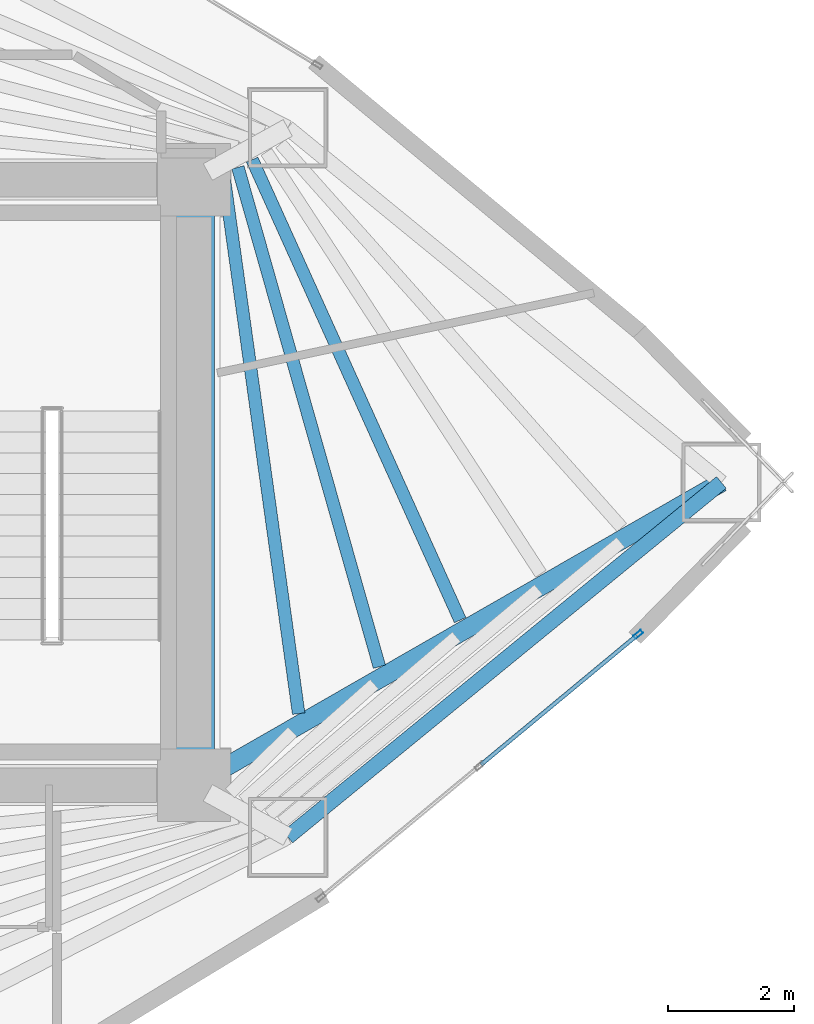
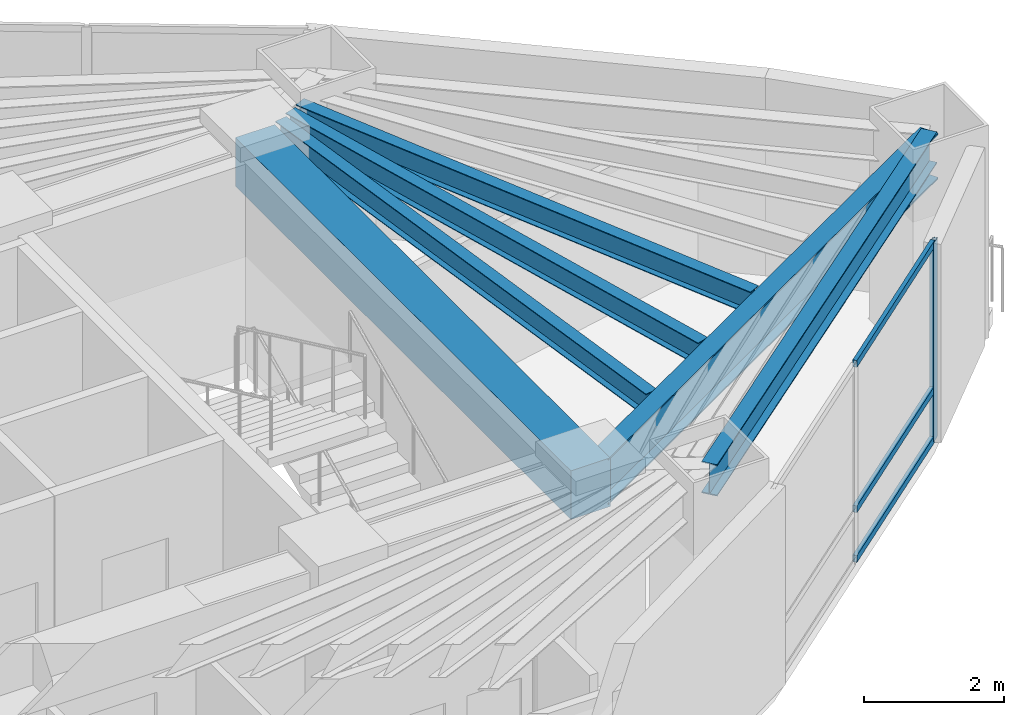
# One storey, part 11 of 19: 6 beams, 4 members, 1 element without a shape of its own.
"""IFC4 building model written with IfcOpenShell, lengths in metres."""

import ifcopenshell
import ifcopenshell.guid

model = None  # the IFC model being written
_history = None  # IfcOwnerHistory: only IFC2X3 demands one
_inside = {}  # id of a spatial element -> (the spatial element, [elements in it])
_under = {}  # id of a project, library or spatial element -> (it, [spatial elements below it])
_declared = {}  # id of a project -> (the project, [libraries it declares])
_typed = {}  # id of a type object -> (the type object, [elements of that type])
_made_of = {}  # id of a material, layer set ... -> (it, [elements and type objects made of it])


def new_model(schema):
    """Start an empty IFC model of exactly this schema.

    Asked for "IFC4X3", IfcOpenShell would pick the latest addendum, in which some entities
    have other attributes; the version numbers below select the first issue.
    IFC2X3 requires an IfcOwnerHistory on every rooted entity: one is made here for all.
    """
    global model, _history
    if schema == "IFC4X3":
        model = ifcopenshell.file(schema_version=(4, 3, 0, 0))
    else:
        model = ifcopenshell.file(schema=schema)
    _inside.clear()
    _under.clear()
    _declared.clear()
    _typed.clear()
    _made_of.clear()
    _history = None
    if model.schema == "IFC2X3":
        org = make("IfcOrganization", Name="unknown")
        user = make(
            "IfcPersonAndOrganization",
            ThePerson=make("IfcPerson", FamilyName="unknown"),
            TheOrganization=org,
        )
        app = make(
            "IfcApplication",
            ApplicationDeveloper=org,
            Version="unknown",
            ApplicationFullName="unknown",
            ApplicationIdentifier="unknown",
        )
        _history = make(
            "IfcOwnerHistory",
            OwningUser=user,
            OwningApplication=app,
            ChangeAction="ADDED",
            CreationDate=0,
        )
    return model


def make(cls, **values):
    """One entity of the class cls with the attributes given. An attribute that is None is left unset."""
    return model.create_entity(
        cls, **{name: value for name, value in values.items() if value is not None}
    )


def rooted(cls, **values):
    """An entity with a GlobalId (a new one), such as an element, a storey or a relation."""
    return make(cls, GlobalId=ifcopenshell.guid.new(), OwnerHistory=_history, **values)


def si_unit(unit_type, name, prefix=None):
    """IfcSIUnit, for example si_unit("LENGTHUNIT", "METRE", prefix="MILLI")."""
    return make("IfcSIUnit", UnitType=unit_type, Prefix=prefix, Name=name)


def assignment(units):
    """IfcUnitAssignment: the units of a project."""
    return None if units is None else make("IfcUnitAssignment", Units=units)


def point(xyz):
    """IfcCartesianPoint."""
    return None if xyz is None else make("IfcCartesianPoint", Coordinates=xyz)


def direction(xyz):
    """IfcDirection."""
    return None if xyz is None else make("IfcDirection", DirectionRatios=xyz)


def frame(location, z_axis=None, x_axis=None):
    """IfcAxis2Placement3D, a coordinate frame: its origin and axes. An axis left out is left unset."""
    return make(
        "IfcAxis2Placement3D",
        Location=point(location),
        Axis=direction(z_axis),
        RefDirection=direction(x_axis),
    )


def frame_2d(location, x_axis=None):
    """IfcAxis2Placement2D, a coordinate frame in the plane: its origin and x axis."""
    return make(
        "IfcAxis2Placement2D", Location=point(location), RefDirection=direction(x_axis)
    )


def origin():
    """The frame at (0, 0, 0) with its axes left unset."""
    return frame((0.0, 0.0, 0.0))


def origin_2d():
    """The frame at (0, 0) in the plane with its x axis left unset."""
    return frame_2d((0.0, 0.0))


def place(relative_to, where):
    """IfcLocalPlacement: puts the frame where relative to a parent placement (None: the world)."""
    return make(
        "IfcLocalPlacement", PlacementRelTo=relative_to, RelativePlacement=where
    )


def context(
    kind, dimensions, precision=None, world=None, true_north=None, identifier=None
):
    """IfcGeometricRepresentationContext, for example the 3D "Model" context."""
    return make(
        "IfcGeometricRepresentationContext",
        ContextIdentifier=identifier,
        ContextType=kind,
        CoordinateSpaceDimension=dimensions,
        Precision=precision,
        WorldCoordinateSystem=world,
        TrueNorth=true_north,
    )


def subcontext(parent, identifier, kind, view, scale=None):
    """IfcGeometricRepresentationSubContext, for example "Body" below "Model"."""
    return make(
        "IfcGeometricRepresentationSubContext",
        ContextIdentifier=identifier,
        ContextType=kind,
        ParentContext=parent,
        TargetScale=scale,
        TargetView=view,
    )


def project(units=None, contexts=None):
    """IfcProject with its units and contexts."""
    return rooted(
        "IfcProject",
        Name="project",
        RepresentationContexts=contexts,
        UnitsInContext=assignment(units),
    )


def spatial(cls, under=None, at=None, **own):
    """A site, building, storey or space (cls), placed at a placement, below another one or the project."""
    s = rooted(cls, ObjectPlacement=at, **own)
    if under is not None:
        _under.setdefault(under.id(), (under, []))[1].append(s)
    return s


def profile(cls, at=None, kind="AREA", **sizes):
    """A parametric profile (cls). Its sizes go by their IFC names, for example OverallWidth=200.0."""
    return make(cls, ProfileType=kind, Position=at, **sizes)


def rectangle(**sizes):
    """IfcRectangleProfileDef."""
    return profile("IfcRectangleProfileDef", **sizes)


def hollow_rectangle(**sizes):
    """IfcRectangleHollowProfileDef."""
    return profile("IfcRectangleHollowProfileDef", **sizes)


def i_section(**sizes):
    """IfcIShapeProfileDef."""
    return profile("IfcIShapeProfileDef", **sizes)


def extrude(swept, where, along, depth):
    """IfcExtrudedAreaSolid: the profile swept, set in the frame where, extruded along a direction by depth."""
    return make(
        "IfcExtrudedAreaSolid",
        SweptArea=swept,
        Position=where,
        ExtrudedDirection=direction(along),
        Depth=depth,
    )


def shape(context_of_items, identifier, shape_type, items):
    """IfcShapeRepresentation: the items that make up one representation, for example the "Body"."""
    return make(
        "IfcShapeRepresentation",
        ContextOfItems=context_of_items,
        RepresentationIdentifier=identifier,
        RepresentationType=shape_type,
        Items=items,
    )


def material(Name=None, Category=None):
    """IfcMaterial."""
    return make("IfcMaterial", Name=Name, Category=Category)


def layer(
    of_material, thickness, ventilated=None, Name=None, Category=None, Priority=None
):
    """IfcMaterialLayer: one layer of a wall or slab, of a material (None: an air gap)."""
    return make(
        "IfcMaterialLayer",
        Material=of_material,
        LayerThickness=thickness,
        IsVentilated=ventilated,
        Name=Name,
        Category=Category,
        Priority=Priority,
    )


def layer_set(layers, Name=None):
    """IfcMaterialLayerSet."""
    return make("IfcMaterialLayerSet", MaterialLayers=layers, LayerSetName=Name)


def material_profile(
    of_material, cross_section, Name=None, Category=None, Priority=None
):
    """IfcMaterialProfile: a cross section and its material."""
    return make(
        "IfcMaterialProfile",
        Name=Name,
        Material=of_material,
        Profile=cross_section,
        Priority=Priority,
        Category=Category,
    )


def profile_set(profiles, Name=None, composite=None):
    """IfcMaterialProfileSet."""
    return make(
        "IfcMaterialProfileSet",
        Name=Name,
        MaterialProfiles=profiles,
        CompositeProfile=composite,
    )


def made_of(thing, what):
    """Note that an element or type object is made of a material, layer set ...; save() writes the relation."""
    if what is not None:
        _made_of.setdefault(what.id(), (what, []))[1].append(thing)
    return thing


def type_object(cls, material=None, **own):
    """A type object (cls), such as IfcWallType, which elements share."""
    return made_of(rooted(cls, **own), material)


def element(
    cls,
    number,
    at=None,
    inside=None,
    cuts=None,
    type_object=None,
    material=None,
    context=None,
    identifier="Body",
    shape_type=None,
    held_by="IfcProductDefinitionShape",
    body=None,
    shapes=None,
    **own,
):
    """One element of the class cls, such as IfcWall. Its Tag is "e" and its number.

    at: its placement. inside: the storey or other place that contains it. cuts: it is an
    opening in that element (IfcRelVoidsElement). A single representation is given by context,
    identifier, shape_type and body (its items); several are given by shapes. held_by: the class
    of the entity that holds the representations. save() writes the other relations.
    """
    e = rooted(cls, Tag="e%d" % number, ObjectPlacement=at, **own)
    if body is not None:
        shapes = [shape(context, identifier, shape_type, body)]
    if shapes is not None:
        e.Representation = make(held_by, Representations=shapes)
    if inside is not None:
        _inside.setdefault(inside.id(), (inside, []))[1].append(e)
    if cuts is not None:
        rooted(
            "IfcRelVoidsElement", RelatingBuildingElement=cuts, RelatedOpeningElement=e
        )
    if type_object is not None:
        _typed.setdefault(type_object.id(), (type_object, []))[1].append(e)
    return made_of(e, material)


def aggregate(whole, parts):
    """IfcRelAggregates: a whole, such as a stair, and the parts it consists of."""
    return rooted("IfcRelAggregates", RelatingObject=whole, RelatedObjects=parts)


def save(model, path):
    """Write the relations noted so far, then the file.

    IfcRelAggregates (storeys below a building ...), IfcRelContainedInSpatialStructure (elements
    in a storey), IfcRelDefinesByType, IfcRelAssociatesMaterial and IfcRelDeclares: one each for
    every whole, place, type object, material and project.
    """
    for whole, parts in _under.values():
        aggregate(whole, parts)
    for where, things in _inside.values():
        rooted(
            "IfcRelContainedInSpatialStructure",
            RelatedElements=things,
            RelatingStructure=where,
        )
    for kind, things in _typed.values():
        rooted("IfcRelDefinesByType", RelatedObjects=things, RelatingType=kind)
    for what, things in _made_of.values():
        rooted("IfcRelAssociatesMaterial", RelatedObjects=things, RelatingMaterial=what)
    for by, libraries in _declared.values():
        rooted("IfcRelDeclares", RelatingContext=by, RelatedDefinitions=libraries)
    model.write(path)


model = new_model("IFC4")

# Units and contexts
model_context = context("Model", 3, precision=1e-05, world=origin(), true_north=direction((0.0, 1.0)))
body_context = subcontext(model_context, "Body", "Model", "MODEL_VIEW")
ifc_project = project(units=[si_unit("LENGTHUNIT", "METRE"), si_unit("AREAUNIT", "SQUARE_METRE"), si_unit("VOLUMEUNIT", "CUBIC_METRE"), si_unit("PLANEANGLEUNIT", "RADIAN"), si_unit("MASSUNIT", "GRAM", prefix="KILO")], contexts=[model_context])

# Site, building, storey
site_placement = place(None, origin())
site = spatial("IfcSite", under=ifc_project, at=site_placement, CompositionType="ELEMENT")
building_placement = place(site_placement, origin())
building = spatial("IfcBuilding", under=site, at=building_placement, Name="Menara Vayukalpa", CompositionType="ELEMENT")
storey_placement = place(building_placement, frame((0.0, 0.0, 118.860107421875)))
storey = spatial("IfcBuildingStorey", under=building, at=storey_placement, Name="L29", CompositionType="ELEMENT", Elevation=118.860107421875)

# Beams
ifc_material_1 = material(Name="Concrete C60/75", Category="concrete")
ifc_material_profile_1 = material_profile(ifc_material_1, rectangle(XDim=0.64990234375, YDim=0.85009765625, at=origin_2d()), Name="RC 650x850")
ifc_profile_set_1 = profile_set([ifc_material_profile_1], Name="Concrete C60/75")
beam_type_1 = type_object("IfcBeamType", Name="BM-CB1", PredefinedType="BEAM", material=ifc_profile_set_1)
beam_1_placement = place(storey_placement, frame((33.39990234375, 17.199951171875, 3.044921875), z_axis=(0.0, 1.0, 0.0), x_axis=(-1.0, 0.0, 0.0)))
element("IfcBeam", 1, at=beam_1_placement, inside=storey, type_object=beam_type_1, Name="L29 Core Tie Beam CBR8", PredefinedType="BEAM", context=body_context, shape_type="SweptSolid", body=[
    extrude(rectangle(XDim=0.64990234375, YDim=0.85009765625, at=origin_2d()), origin(), (0.0, 0.0, 1.0), 9.60009765625),
])
ifc_material_2 = material(Name="Steel S355", Category="steel")
ifc_material_profile_2 = material_profile(ifc_material_2, i_section(OverallWidth=0.300048828125, OverallDepth=0.800048828125, WebThickness=0.013916015625, FlangeThickness=0.02587890625, at=origin_2d()), Name="WF 800x300x14x26")
ifc_profile_set_2 = profile_set([ifc_material_profile_2], Name="Steel S355")
beam_type_2 = type_object("IfcBeamType", Name="BM-PG3", PredefinedType="BEAM", material=ifc_profile_set_2)
beam_2_placement = place(storey_placement, frame((33.61669921875, 17.324462890625, 3.06982421875), z_axis=(0.867273673572, 0.497831673488, 0.0), x_axis=(-0.497831673488, 0.867273673572, 0.0)))
element("IfcBeam", 2, at=beam_2_placement, inside=storey, type_object=beam_type_2, Name="L29 Primary Radial Girder RG01", PredefinedType="BEAM", context=body_context, shape_type="SweptSolid", body=[
    extrude(i_section(OverallWidth=0.300048828125, OverallDepth=0.800048828125, WebThickness=0.013916015625, FlangeThickness=0.02587890625, at=origin_2d()), origin(), (0.0, 0.0, 1.0), 9.391845703125),
])
ifc_material_3 = material(Name="Steel S355", Category="steel")
ifc_material_profile_3 = material_profile(ifc_material_3, i_section(OverallWidth=0.199951171875, OverallDepth=0.39990234375, WebThickness=0.008056640625, FlangeThickness=0.012939453125, at=origin_2d()), Name="WF 400x200x8x13")
ifc_profile_set_3 = profile_set([ifc_material_profile_3], Name="Steel S355")
beam_type_3 = type_object("IfcBeamType", Name="BM-SJ2", PredefinedType="JOIST", material=ifc_profile_set_3)
beam_3_placement = place(storey_placement, frame((35.0595703125, 18.33447265625, 3.269775390625), z_axis=(-0.137826740717, 0.990456354184, 0.0), x_axis=(-0.990456354184, -0.137826740717, 0.0)))
element("IfcBeam", 3, at=beam_3_placement, inside=storey, type_object=beam_type_3, Name="L29 Secondary Floor Joist SJ01-1", PredefinedType="JOIST", context=body_context, shape_type="SweptSolid", body=[
    extrude(i_section(OverallWidth=0.199951171875, OverallDepth=0.39990234375, WebThickness=0.008056640625, FlangeThickness=0.012939453125, at=origin_2d()), origin(), (0.0, 0.0, 1.0), 8.62646484375),
])
beam_4_placement = place(storey_placement, frame((36.33984375, 19.07763671875, 3.269775390625), z_axis=(-0.272628202831, 0.962119464007, 0.0), x_axis=(-0.962119464007, -0.272628202831, 0.0)))
element("IfcBeam", 4, at=beam_4_placement, inside=storey, type_object=beam_type_3, Name="L29 Secondary Floor Joist SJ01-2", PredefinedType="JOIST", context=body_context, shape_type="SweptSolid", body=[
    extrude(i_section(OverallWidth=0.199951171875, OverallDepth=0.39990234375, WebThickness=0.008056640625, FlangeThickness=0.012939453125, at=origin_2d()), origin(), (0.0, 0.0, 1.0), 8.229736328125),
])
beam_5_placement = place(storey_placement, frame((37.619384765625, 19.817138671875, 3.269775390625), z_axis=(-0.411603873645, 0.911362853753, 0.0), x_axis=(-0.911362853753, -0.411603873645, 0.0)))
element("IfcBeam", 5, at=beam_5_placement, inside=storey, type_object=beam_type_3, Name="L29 Secondary Floor Joist SJ01-3", PredefinedType="JOIST", context=body_context, shape_type="SweptSolid", body=[
    extrude(i_section(OverallWidth=0.199951171875, OverallDepth=0.39990234375, WebThickness=0.008056640625, FlangeThickness=0.012939453125, at=origin_2d()), origin(), (0.0, 0.0, 1.0), 8.00927734375),
])
ifc_material_4 = material(Name="Steel S355", Category="steel")
ifc_material_profile_4 = material_profile(ifc_material_4, i_section(OverallWidth=0.239990234375, OverallDepth=0.550048828125, WebThickness=0.010986328125, FlangeThickness=0.01904296875, at=origin_2d()), Name="WF 550x240x11x19")
ifc_profile_set_4 = profile_set([ifc_material_profile_4], Name="Steel S355")
beam_type_4 = type_object("IfcBeamType", Name="BM-SP2", PredefinedType="SPANDREL", material=ifc_profile_set_4)
beam_6_placement = place(storey_placement, frame((34.88671875, 16.37841796875, 3.19482421875), z_axis=(0.774156906301, 0.632993747541, 0.0), x_axis=(-0.632993747541, 0.774156906301, 0.0)))
element("IfcBeam", 6, at=beam_6_placement, inside=storey, type_object=beam_type_4, Name="L29 Perimeter Spandrel Beam SP09", PredefinedType="SPANDREL", context=body_context, shape_type="SweptSolid", body=[
    extrude(i_section(OverallWidth=0.239990234375, OverallDepth=0.550048828125, WebThickness=0.010986328125, FlangeThickness=0.01904296875, at=origin_2d()), origin(), (0.0, 0.0, 1.0), 8.880859375),
])

# Curtain wall, members
ifc_material_5 = material(Name="Anodised Terracotta Aluminium Alloy 6063-T6", Category="masonry")
ifc_layer = layer(ifc_material_5, 0.14990234375)
ifc_layer_set = layer_set([ifc_layer], Name="Anodised Terracotta Aluminium Alloy 6063-T6")
curtain_wall_type = type_object("IfcCurtainWallType", Name="CW-CW3", PredefinedType="USERDEFINED", material=ifc_layer_set)
curtain_wall_placement = place(storey_placement, origin())
curtain_wall = element("IfcCurtainWall", 7, at=curtain_wall_placement, inside=storey, type_object=curtain_wall_type, Name="L29 Mid Rise Terracotta Ribbon Curtain Wall CW3 19", ObjectType="UNITISED", PredefinedType="USERDEFINED")
ifc_material_6 = material(Name="Anodised Terracotta Aluminium Alloy 6063-T6", Category="masonry")
ifc_material_profile_5 = material_profile(ifc_material_6, hollow_rectangle(XDim=0.06494140625, YDim=0.14990234375, WallThickness=0.00341796875, at=origin_2d()), Name="ALU 65x150x3.5")
ifc_profile_set_5 = profile_set([ifc_material_profile_5], Name="Anodised Terracotta Aluminium Alloy 6063-T6")
member_type_1 = type_object("IfcMemberType", Name="CWM-CW3", PredefinedType="MULLION", material=ifc_profile_set_5)
member_1_placement = place(storey_placement, frame((40.442626953125, 19.591552734375, 0.0), z_axis=(0.0, 0.0, 1.0), x_axis=(-0.638345501574, 0.769749972797, 0.0)))
member_1 = element("IfcMember", 8, at=member_1_placement, type_object=member_type_1, Name="CW3 mullion 3", PredefinedType="MULLION", context=body_context, shape_type="SweptSolid", body=[
    extrude(hollow_rectangle(XDim=0.06494140625, YDim=0.14990234375, WallThickness=0.00341796875, at=origin_2d()), origin(), (0.0, 0.0, 1.0), 3.469970703125),
])
ifc_material_7 = material(Name="Anodised Terracotta Aluminium Alloy 6063-T6", Category="masonry")
ifc_material_profile_6 = material_profile(ifc_material_7, hollow_rectangle(XDim=0.06494140625, YDim=0.1201171875, WallThickness=0.00341796875, at=origin_2d()), Name="ALU 65x120x3.5")
ifc_profile_set_6 = profile_set([ifc_material_profile_6], Name="Anodised Terracotta Aluminium Alloy 6063-T6")
member_type_2 = type_object("IfcMemberType", Name="CWT-CW3", PredefinedType="USERDEFINED", material=ifc_profile_set_6)
member_2_placement = place(storey_placement, frame((37.951904296875, 17.52587890625, 0.032470703125), z_axis=(0.769743346359, 0.63835349199, 0.0), x_axis=(-0.63835349199, 0.769743346359, 0.0)))
member_2 = element("IfcMember", 9, at=member_2_placement, type_object=member_type_2, Name="CW3 transom 2.1", ObjectType="TRANSOM", PredefinedType="USERDEFINED", context=body_context, shape_type="SweptSolid", body=[
    extrude(hollow_rectangle(XDim=0.06494140625, YDim=0.1201171875, WallThickness=0.00341796875, at=origin_2d()), origin(), (0.0, 0.0, 1.0), 3.203369140625),
])
member_3_placement = place(storey_placement, frame((37.951904296875, 17.52587890625, 0.89990234375), z_axis=(0.769743346359, 0.63835349199, 0.0), x_axis=(-0.63835349199, 0.769743346359, 0.0)))
member_3 = element("IfcMember", 10, at=member_3_placement, type_object=member_type_2, Name="CW3 transom 2.2", ObjectType="TRANSOM", PredefinedType="USERDEFINED", context=body_context, shape_type="SweptSolid", body=[
    extrude(hollow_rectangle(XDim=0.06494140625, YDim=0.1201171875, WallThickness=0.00341796875, at=origin_2d()), origin(), (0.0, 0.0, 1.0), 3.203369140625),
])
member_4_placement = place(storey_placement, frame((37.951904296875, 17.52587890625, 3.4375), z_axis=(0.769743346359, 0.63835349199, 0.0), x_axis=(-0.63835349199, 0.769743346359, 0.0)))
member_4 = element("IfcMember", 11, at=member_4_placement, type_object=member_type_2, Name="CW3 transom 2.3", ObjectType="TRANSOM", PredefinedType="USERDEFINED", context=body_context, shape_type="SweptSolid", body=[
    extrude(hollow_rectangle(XDim=0.06494140625, YDim=0.1201171875, WallThickness=0.00341796875, at=origin_2d()), origin(), (0.0, 0.0, 1.0), 3.203369140625),
])
aggregate(curtain_wall, [member_1, member_2, member_3, member_4])

save(model, "model.ifc")
